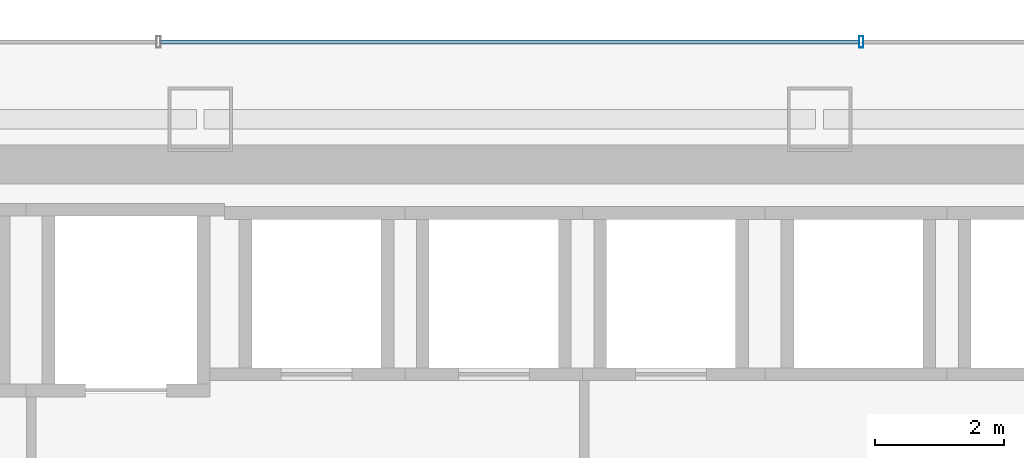
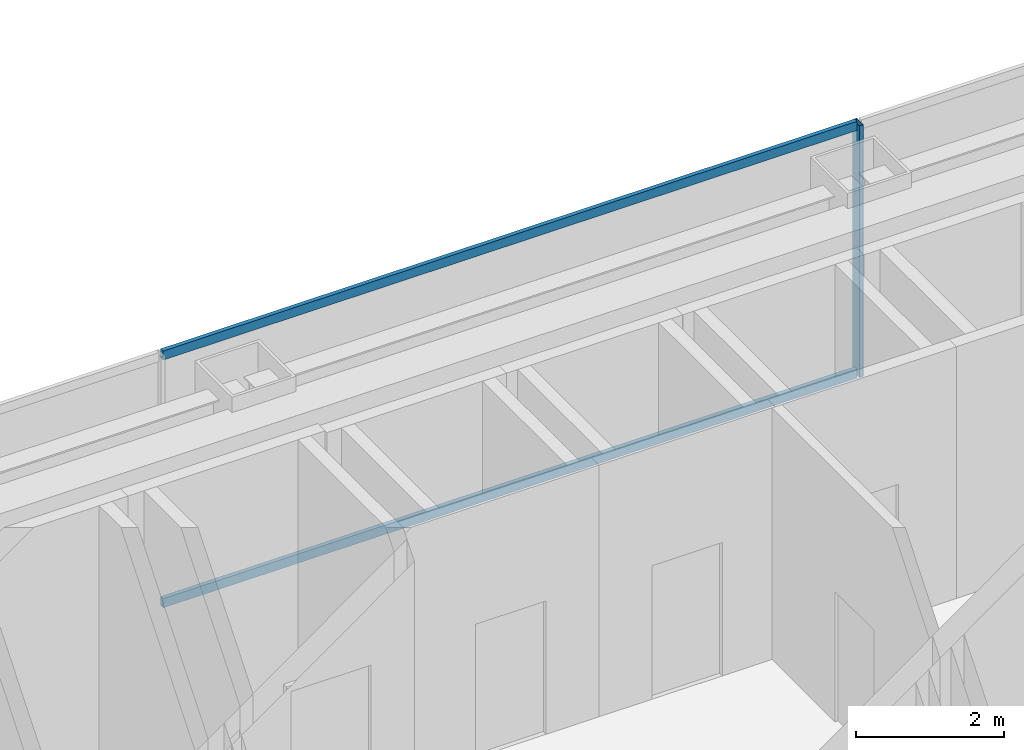
# One storey, part 25 of 37: 3 members, 1 element without a shape of its own.
"""IFC4 building model written with IfcOpenShell, lengths in metres."""

from ifc_helpers import new_model, si_unit, direction, frame, origin, origin_2d, place, context, subcontext, project, spatial, hollow_rectangle, extrude, material, material_profile, profile_set, type_object, element, aggregate, save


model = new_model("IFC4")

# Units and contexts
model_context = context("Model", 3, precision=1e-05, world=origin(), true_north=direction((0.0, 1.0)))
body_context = subcontext(model_context, "Body", "Model", "MODEL_VIEW")
ifc_project = project(units=[si_unit("LENGTHUNIT", "METRE"), si_unit("AREAUNIT", "SQUARE_METRE"), si_unit("VOLUMEUNIT", "CUBIC_METRE"), si_unit("PLANEANGLEUNIT", "RADIAN"), si_unit("MASSUNIT", "GRAM", prefix="KILO")], contexts=[model_context])

# Site, building, storey
site_placement = place(None, origin())
site = spatial("IfcSite", under=ifc_project, at=site_placement, CompositionType="ELEMENT")
building_placement = place(site_placement, origin())
building = spatial("IfcBuilding", under=site, at=building_placement, Name="Saevonmaru Cultural Tower", CompositionType="ELEMENT")
storey_placement = place(building_placement, frame((0.0, 0.0, 106.0)))
storey = spatial("IfcBuildingStorey", under=building, at=storey_placement, Name="L22", CompositionType="ELEMENT", Elevation=106.0)

# Curtain wall, members
ifc_material = material(Name="Satin Bronze Anodised Aluminium", Category="aluminium")
curtain_wall_type = type_object("IfcCurtainWallType", Name="CW-TYP-A", PredefinedType="NOTDEFINED", material=ifc_material)
curtain_wall_placement = place(storey_placement, origin())
curtain_wall = element("IfcCurtainWall", 1, at=curtain_wall_placement, inside=storey, type_object=curtain_wall_type, Name="L22 North Spine Unitised Curtain Wall E10B", PredefinedType="NOTDEFINED")
ifc_material_profile_1 = material_profile(ifc_material, hollow_rectangle(XDim=0.06494140625, YDim=0.179931640625, WallThickness=0.00390625, at=origin_2d()), Name="ALU-MULL-180x65x4")
ifc_profile_set_1 = profile_set([ifc_material_profile_1], Name="Satin Bronze Anodised Aluminium")
member_type_1 = type_object("IfcMemberType", Name="ML-CW-180x65", PredefinedType="MULLION", material=ifc_profile_set_1)
member_1_placement = place(storey_placement, frame((35.44677734375, 56.0, 0.0), z_axis=(0.0, 0.0, 1.0), x_axis=(-1.0, 0.0, 0.0)))
member_1 = element("IfcMember", 2, at=member_1_placement, type_object=member_type_1, Name="CW-TW-L22-E10B mullion 2", PredefinedType="MULLION", context=body_context, shape_type="SweptSolid", body=[
    extrude(hollow_rectangle(XDim=0.06494140625, YDim=0.179931640625, WallThickness=0.00390625, at=origin_2d()), origin(), (0.0, 0.0, 1.0), 4.14990234375),
])
ifc_material_profile_2 = material_profile(ifc_material, hollow_rectangle(XDim=0.06494140625, YDim=0.14990234375, WallThickness=0.00390625, at=origin_2d()), Name="ALU-TRAN-150x65x4")
ifc_profile_set_2 = profile_set([ifc_material_profile_2], Name="Satin Bronze Anodised Aluminium")
member_type_2 = type_object("IfcMemberType", Name="TR-CW-150x65", PredefinedType="USERDEFINED", material=ifc_profile_set_2)
member_2_placement = place(storey_placement, frame((35.4140625, 56.0, 0.032470703125), z_axis=(-1.0, 0.0, 0.0), x_axis=(0.0, -1.0, 0.0)))
member_2 = element("IfcMember", 3, at=member_2_placement, type_object=member_type_2, Name="CW-TW-L22-E10B transom 2.1", ObjectType="TRANSOM", PredefinedType="USERDEFINED", context=body_context, shape_type="SweptSolid", body=[
    extrude(hollow_rectangle(XDim=0.06494140625, YDim=0.14990234375, WallThickness=0.00390625, at=origin_2d()), origin(), (0.0, 0.0, 1.0), 10.828125),
])
member_3_placement = place(storey_placement, frame((35.4140625, 56.0, 4.117431640625), z_axis=(-1.0, 0.0, 0.0), x_axis=(0.0, -1.0, 0.0)))
member_3 = element("IfcMember", 4, at=member_3_placement, type_object=member_type_2, Name="CW-TW-L22-E10B transom 2.2", ObjectType="TRANSOM", PredefinedType="USERDEFINED", context=body_context, shape_type="SweptSolid", body=[
    extrude(hollow_rectangle(XDim=0.06494140625, YDim=0.14990234375, WallThickness=0.00390625, at=origin_2d()), origin(), (0.0, 0.0, 1.0), 10.828125),
])
aggregate(curtain_wall, [member_1, member_2, member_3])

save(model, "model.ifc")
